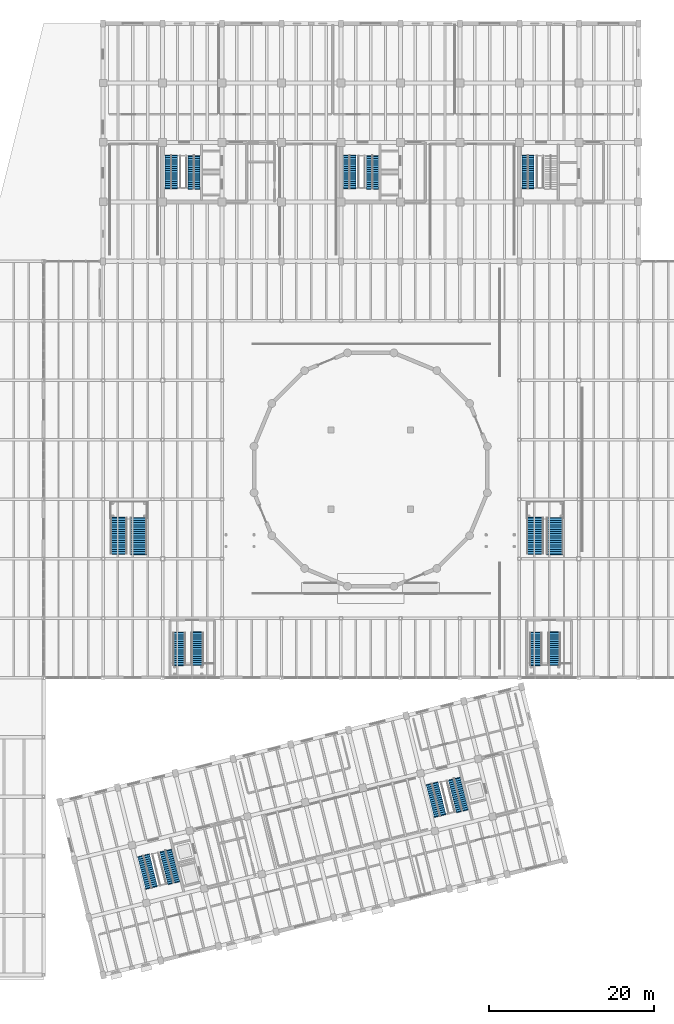
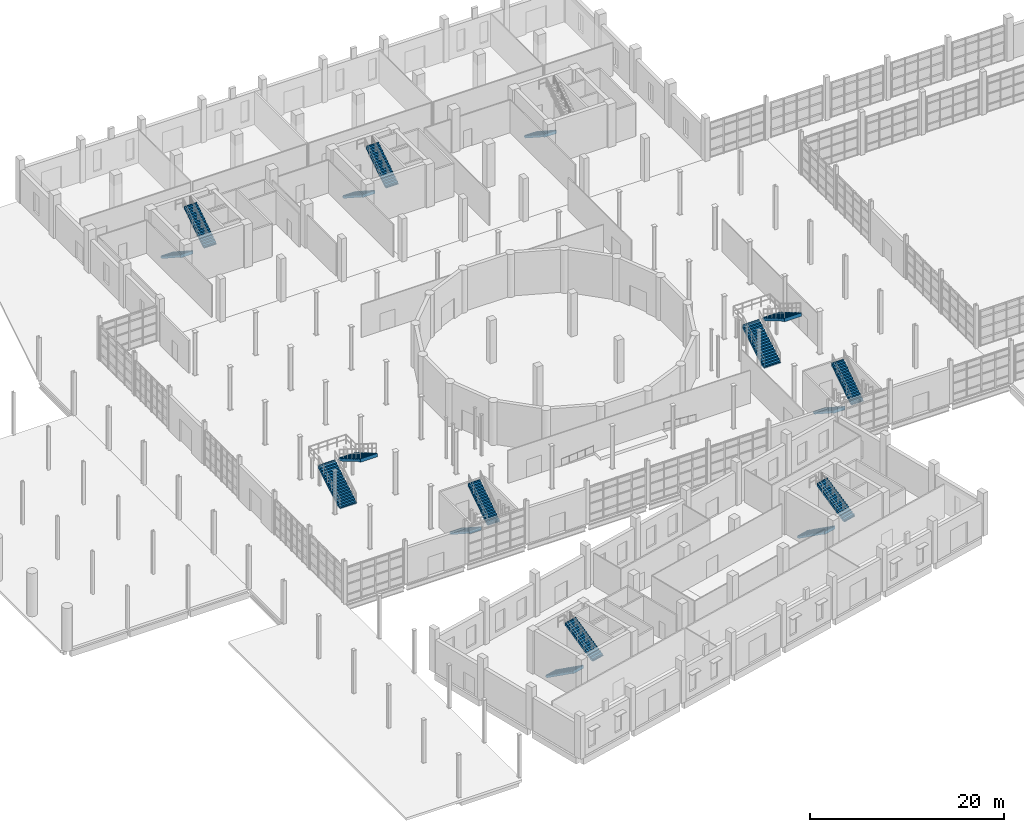
# One storey, part 73 of 79: 17 stair flights, 9 elements without a shape of their own.
"""IFC4 building model written with IfcOpenShell, lengths in metres."""

from ifc_helpers import new_model, si_unit, direction, frame, origin, place, context, subcontext, project, spatial, polyline, outline, extrude, material, type_object, element, aggregate, save


model = new_model("IFC4")

# Units and contexts
model_context = context("Model", 3, precision=1e-05, world=origin(), true_north=direction((0.0, 1.0)))
body_context = subcontext(model_context, "Body", "Model", "MODEL_VIEW")
ifc_project = project(units=[si_unit("LENGTHUNIT", "METRE"), si_unit("AREAUNIT", "SQUARE_METRE"), si_unit("VOLUMEUNIT", "CUBIC_METRE"), si_unit("PLANEANGLEUNIT", "RADIAN"), si_unit("MASSUNIT", "GRAM", prefix="KILO")], contexts=[model_context])

# Site, building, storey
site_placement = place(None, origin())
site = spatial("IfcSite", under=ifc_project, at=site_placement, CompositionType="ELEMENT")
building_placement = place(site_placement, origin())
building = spatial("IfcBuilding", under=site, at=building_placement, Name="Qiaolan Assembly House", CompositionType="ELEMENT")
storey_placement = place(building_placement, origin())
storey = spatial("IfcBuildingStorey", under=building, at=storey_placement, Name="L00", CompositionType="ELEMENT", Elevation=0.0)

# Stair, stair flights
ifc_material = material(Name="Concrete C40/50", Category="concrete")
stair_type_1 = type_object("IfcStairType", Name="STR-CEREMONIAL-540", PredefinedType="DOUBLE_RETURN_STAIR", material=ifc_material)
stair_1_placement = place(storey_placement, origin())
stair_1 = element("IfcStair", 1, at=stair_1_placement, inside=storey, type_object=stair_type_1, Name="ST-02 Grand Hall Ceremonial Stair ST-H1", PredefinedType="DOUBLE_RETURN_STAIR")
stair_flight_type_1 = type_object("IfcStairFlightType", Name="STR-CEREMONIAL-540-FLT", PredefinedType="STRAIGHT", material=ifc_material)
stair_flight_1_placement = place(storey_placement, frame((37.89990234375, 51.0, 0.0), z_axis=(0.0, 0.0, 1.0), x_axis=(0.0, 1.0, 0.0)))
stair_flight_1 = element("IfcStairFlight", 2, at=stair_flight_1_placement, type_object=stair_flight_type_1, Name="ST-02F stair flight FLT-ST-H1-1", NumberOfRisers=17, NumberOfTreads=16, PredefinedType="STRAIGHT", RiserHeight=0.158824, TreadLength=0.27, context=body_context, shape_type="SweptSolid", body=[
    extrude(outline(polyline([(-0.10009765625, -0.1201171875), (-0.10009765625, 0.0), (0.0, 0.0), (0.0, 0.158935546875), (0.27001953125, 0.158935546875), (0.27001953125, 0.317626953125), (0.5400390625, 0.317626953125), (0.5400390625, 0.4765625), (0.81005859375, 0.4765625), (0.81005859375, 0.63525390625), (1.080078125, 0.63525390625), (1.080078125, 0.794189453125), (1.35009765625, 0.794189453125), (1.35009765625, 0.952880859375), (1.6201171875, 0.952880859375), (1.6201171875, 1.11181640625), (1.889892578125, 1.11181640625), (1.889892578125, 1.2705078125), (2.159912109375, 1.2705078125), (2.159912109375, 1.429443359375), (2.429931640625, 1.429443359375), (2.429931640625, 1.588134765625), (2.699951171875, 1.588134765625), (2.699951171875, 1.7470703125), (2.969970703125, 1.7470703125), (2.969970703125, 1.906005859375), (3.239990234375, 1.906005859375), (3.239990234375, 2.064697265625), (3.510009765625, 2.064697265625), (3.510009765625, 2.2236328125), (3.780029296875, 2.2236328125), (3.780029296875, 2.38232421875), (4.050048828125, 2.38232421875), (4.050048828125, 2.541259765625), (4.320068359375, 2.541259765625), (4.320068359375, 2.699951171875), (4.440185546875, 2.699951171875), (4.440185546875, 2.2626953125), (4.320068359375, 2.2626953125), (0.26904296875, -0.1201171875), (-0.10009765625, -0.1201171875)])), frame((0.0, 1.0, 0.0), z_axis=(0.0, -1.0, 0.0), x_axis=(1.0, 0.0, 0.0)), (0.0, 0.0, 1.0), 2.0),
])
stair_flight_2_placement = place(storey_placement, frame((40.300048828125, 55.320068359375, 2.699951171875), z_axis=(0.0, 0.0, 1.0), x_axis=(0.0, -1.0, 0.0)))
stair_flight_2 = element("IfcStairFlight", 3, at=stair_flight_2_placement, type_object=stair_flight_type_1, Name="ST-02F stair flight FLT-ST-H1-2", NumberOfRisers=17, NumberOfTreads=16, PredefinedType="STRAIGHT", RiserHeight=0.158824, TreadLength=0.27, context=body_context, shape_type="SweptSolid", body=[
    extrude(outline(polyline([(-0.10009765625, -0.1201171875), (-0.10009765625, 0.0), (0.0, 0.0), (0.0, 0.158935546875), (0.27001953125, 0.158935546875), (0.27001953125, 0.317626953125), (0.5400390625, 0.317626953125), (0.5400390625, 0.4765625), (0.81005859375, 0.4765625), (0.81005859375, 0.63525390625), (1.080078125, 0.63525390625), (1.080078125, 0.794189453125), (1.35009765625, 0.794189453125), (1.35009765625, 0.952880859375), (1.6201171875, 0.952880859375), (1.6201171875, 1.11181640625), (1.889892578125, 1.11181640625), (1.889892578125, 1.2705078125), (2.159912109375, 1.2705078125), (2.159912109375, 1.429443359375), (2.429931640625, 1.429443359375), (2.429931640625, 1.588134765625), (2.699951171875, 1.588134765625), (2.699951171875, 1.7470703125), (2.969970703125, 1.7470703125), (2.969970703125, 1.906005859375), (3.239990234375, 1.906005859375), (3.239990234375, 2.064697265625), (3.510009765625, 2.064697265625), (3.510009765625, 2.2236328125), (3.780029296875, 2.2236328125), (3.780029296875, 2.38232421875), (4.050048828125, 2.38232421875), (4.050048828125, 2.541259765625), (4.320068359375, 2.541259765625), (4.320068359375, 2.699951171875), (4.440185546875, 2.699951171875), (4.440185546875, 2.2626953125), (4.320068359375, 2.2626953125), (0.26904296875, -0.1201171875), (-0.10009765625, -0.1201171875)])), frame((0.0, 1.0, 0.0), z_axis=(0.0, -1.0, 0.0), x_axis=(1.0, 0.0, 0.0)), (0.0, 0.0, 1.0), 2.0),
])
aggregate(stair_1, [stair_flight_1, stair_flight_2])

stair_2_placement = place(storey_placement, origin())
stair_2 = element("IfcStair", 4, at=stair_2_placement, inside=storey, type_object=stair_type_1, Name="ST-02 Grand Hall Ceremonial Stair ST-H2", PredefinedType="DOUBLE_RETURN_STAIR")
stair_flight_3_placement = place(storey_placement, frame((88.300048828125, 51.0, 0.0), z_axis=(0.0, 0.0, 1.0), x_axis=(0.0, 1.0, 0.0)))
stair_flight_3 = element("IfcStairFlight", 5, at=stair_flight_3_placement, type_object=stair_flight_type_1, Name="ST-02F stair flight FLT-ST-H2-1", NumberOfRisers=17, NumberOfTreads=16, PredefinedType="STRAIGHT", RiserHeight=0.158824, TreadLength=0.27, context=body_context, shape_type="SweptSolid", body=[
    extrude(outline(polyline([(-0.10009765625, -0.1201171875), (-0.10009765625, 0.0), (0.0, 0.0), (0.0, 0.158935546875), (0.27001953125, 0.158935546875), (0.27001953125, 0.317626953125), (0.5400390625, 0.317626953125), (0.5400390625, 0.4765625), (0.81005859375, 0.4765625), (0.81005859375, 0.63525390625), (1.080078125, 0.63525390625), (1.080078125, 0.794189453125), (1.35009765625, 0.794189453125), (1.35009765625, 0.952880859375), (1.6201171875, 0.952880859375), (1.6201171875, 1.11181640625), (1.889892578125, 1.11181640625), (1.889892578125, 1.2705078125), (2.159912109375, 1.2705078125), (2.159912109375, 1.429443359375), (2.429931640625, 1.429443359375), (2.429931640625, 1.588134765625), (2.699951171875, 1.588134765625), (2.699951171875, 1.7470703125), (2.969970703125, 1.7470703125), (2.969970703125, 1.906005859375), (3.239990234375, 1.906005859375), (3.239990234375, 2.064697265625), (3.510009765625, 2.064697265625), (3.510009765625, 2.2236328125), (3.780029296875, 2.2236328125), (3.780029296875, 2.38232421875), (4.050048828125, 2.38232421875), (4.050048828125, 2.541259765625), (4.320068359375, 2.541259765625), (4.320068359375, 2.699951171875), (4.440185546875, 2.699951171875), (4.440185546875, 2.2626953125), (4.320068359375, 2.2626953125), (0.26904296875, -0.1201171875), (-0.10009765625, -0.1201171875)])), frame((0.0, 1.0, 0.0), z_axis=(0.0, -1.0, 0.0), x_axis=(1.0, 0.0, 0.0)), (0.0, 0.0, 1.0), 2.0),
])
stair_flight_4_placement = place(storey_placement, frame((90.699951171875, 55.320068359375, 2.699951171875), z_axis=(0.0, 0.0, 1.0), x_axis=(0.0, -1.0, 0.0)))
stair_flight_4 = element("IfcStairFlight", 6, at=stair_flight_4_placement, type_object=stair_flight_type_1, Name="ST-02F stair flight FLT-ST-H2-2", NumberOfRisers=17, NumberOfTreads=16, PredefinedType="STRAIGHT", RiserHeight=0.158824, TreadLength=0.27, context=body_context, shape_type="SweptSolid", body=[
    extrude(outline(polyline([(-0.10009765625, -0.1201171875), (-0.10009765625, 0.0), (0.0, 0.0), (0.0, 0.158935546875), (0.27001953125, 0.158935546875), (0.27001953125, 0.317626953125), (0.5400390625, 0.317626953125), (0.5400390625, 0.4765625), (0.81005859375, 0.4765625), (0.81005859375, 0.63525390625), (1.080078125, 0.63525390625), (1.080078125, 0.794189453125), (1.35009765625, 0.794189453125), (1.35009765625, 0.952880859375), (1.6201171875, 0.952880859375), (1.6201171875, 1.11181640625), (1.889892578125, 1.11181640625), (1.889892578125, 1.2705078125), (2.159912109375, 1.2705078125), (2.159912109375, 1.429443359375), (2.429931640625, 1.429443359375), (2.429931640625, 1.588134765625), (2.699951171875, 1.588134765625), (2.699951171875, 1.7470703125), (2.969970703125, 1.7470703125), (2.969970703125, 1.906005859375), (3.239990234375, 1.906005859375), (3.239990234375, 2.064697265625), (3.510009765625, 2.064697265625), (3.510009765625, 2.2236328125), (3.780029296875, 2.2236328125), (3.780029296875, 2.38232421875), (4.050048828125, 2.38232421875), (4.050048828125, 2.541259765625), (4.320068359375, 2.541259765625), (4.320068359375, 2.699951171875), (4.440185546875, 2.699951171875), (4.440185546875, 2.2626953125), (4.320068359375, 2.2626953125), (0.26904296875, -0.1201171875), (-0.10009765625, -0.1201171875)])), frame((0.0, 1.0, 0.0), z_axis=(0.0, -1.0, 0.0), x_axis=(1.0, 0.0, 0.0)), (0.0, 0.0, 1.0), 2.0),
])
aggregate(stair_2, [stair_flight_3, stair_flight_4])

stair_type_2 = type_object("IfcStairType", Name="STR-FOYER-540", PredefinedType="HALF_TURN_STAIR", material=ifc_material)
stair_3_placement = place(storey_placement, origin())
stair_3 = element("IfcStair", 7, at=stair_3_placement, inside=storey, type_object=stair_type_2, Name="ST-09 Chamber South Foyer Stair ST-F01", PredefinedType="HALF_TURN_STAIR")
stair_flight_type_2 = type_object("IfcStairFlightType", Name="STR-FOYER-540-FLT", PredefinedType="STRAIGHT", material=ifc_material)
stair_flight_5_placement = place(storey_placement, frame((45.199951171875, 41.449951171875, 0.0), z_axis=(0.0, 0.0, 1.0), x_axis=(0.0, -1.0, 0.0)))
stair_flight_5 = element("IfcStairFlight", 8, at=stair_flight_5_placement, type_object=stair_flight_type_2, Name="ST-09F stair flight FLT-ST-F01-1", NumberOfRisers=16, NumberOfTreads=15, PredefinedType="STRAIGHT", RiserHeight=0.16875, TreadLength=0.26, context=body_context, shape_type="SweptSolid", body=[
    extrude(outline(polyline([(-0.10009765625, -0.1201171875), (-0.10009765625, 0.0), (0.0, 0.0), (0.0, 0.168701171875), (0.260009765625, 0.168701171875), (0.260009765625, 0.33740234375), (0.52001953125, 0.33740234375), (0.52001953125, 0.50634765625), (0.780029296875, 0.50634765625), (0.780029296875, 0.675048828125), (1.0400390625, 0.675048828125), (1.0400390625, 0.84375), (1.300048828125, 0.84375), (1.300048828125, 1.012451171875), (1.56005859375, 1.012451171875), (1.56005859375, 1.18115234375), (1.820068359375, 1.18115234375), (1.820068359375, 1.35009765625), (2.080078125, 1.35009765625), (2.080078125, 1.518798828125), (2.340087890625, 1.518798828125), (2.340087890625, 1.6875), (2.60009765625, 1.6875), (2.60009765625, 1.856201171875), (2.860107421875, 1.856201171875), (2.860107421875, 2.02490234375), (3.1201171875, 2.02490234375), (3.1201171875, 2.19384765625), (3.3798828125, 2.19384765625), (3.3798828125, 2.362548828125), (3.639892578125, 2.362548828125), (3.639892578125, 2.53125), (3.89990234375, 2.53125), (3.89990234375, 2.699951171875), (4.02001953125, 2.699951171875), (4.02001953125, 2.29296875), (3.89990234375, 2.29296875), (0.18212890625, -0.1201171875), (-0.10009765625, -0.1201171875)])), frame((0.0, 0.7099609375, 0.0), z_axis=(0.0, -1.0, 0.0), x_axis=(1.0, 0.0, 0.0)), (0.0, 0.0, 1.0), 1.419921875),
])
stair_flight_6_placement = place(storey_placement, frame((47.39990234375, 37.550048828125, 2.699951171875), z_axis=(0.0, 0.0, 1.0), x_axis=(0.0, 1.0, 0.0)))
stair_flight_6 = element("IfcStairFlight", 9, at=stair_flight_6_placement, type_object=stair_flight_type_2, Name="ST-09F stair flight FLT-ST-F01-2", NumberOfRisers=16, NumberOfTreads=15, PredefinedType="STRAIGHT", RiserHeight=0.16875, TreadLength=0.26, context=body_context, shape_type="SweptSolid", body=[
    extrude(outline(polyline([(-0.10009765625, -0.1201171875), (-0.10009765625, 0.0), (0.0, 0.0), (0.0, 0.168701171875), (0.260009765625, 0.168701171875), (0.260009765625, 0.33740234375), (0.52001953125, 0.33740234375), (0.52001953125, 0.50634765625), (0.780029296875, 0.50634765625), (0.780029296875, 0.675048828125), (1.0400390625, 0.675048828125), (1.0400390625, 0.84375), (1.300048828125, 0.84375), (1.300048828125, 1.012451171875), (1.56005859375, 1.012451171875), (1.56005859375, 1.18115234375), (1.820068359375, 1.18115234375), (1.820068359375, 1.35009765625), (2.080078125, 1.35009765625), (2.080078125, 1.518798828125), (2.340087890625, 1.518798828125), (2.340087890625, 1.6875), (2.60009765625, 1.6875), (2.60009765625, 1.856201171875), (2.860107421875, 1.856201171875), (2.860107421875, 2.02490234375), (3.1201171875, 2.02490234375), (3.1201171875, 2.19384765625), (3.3798828125, 2.19384765625), (3.3798828125, 2.362548828125), (3.639892578125, 2.362548828125), (3.639892578125, 2.53125), (3.89990234375, 2.53125), (3.89990234375, 2.699951171875), (4.02001953125, 2.699951171875), (4.02001953125, 2.29296875), (3.89990234375, 2.29296875), (0.18212890625, -0.1201171875), (-0.10009765625, -0.1201171875)])), frame((0.0, 0.7099609375, 0.0), z_axis=(0.0, -1.0, 0.0), x_axis=(1.0, 0.0, 0.0)), (0.0, 0.0, 1.0), 1.419921875),
])
aggregate(stair_3, [stair_flight_5, stair_flight_6])

stair_4_placement = place(storey_placement, origin())
stair_4 = element("IfcStair", 10, at=stair_4_placement, inside=storey, type_object=stair_type_2, Name="ST-09 Chamber South Foyer Stair ST-F02", PredefinedType="HALF_TURN_STAIR")
stair_flight_7_placement = place(storey_placement, frame((88.39990234375, 41.449951171875, 0.0), z_axis=(0.0, 0.0, 1.0), x_axis=(0.0, -1.0, 0.0)))
stair_flight_7 = element("IfcStairFlight", 11, at=stair_flight_7_placement, type_object=stair_flight_type_2, Name="ST-09F stair flight FLT-ST-F02-1", NumberOfRisers=16, NumberOfTreads=15, PredefinedType="STRAIGHT", RiserHeight=0.16875, TreadLength=0.26, context=body_context, shape_type="SweptSolid", body=[
    extrude(outline(polyline([(-0.10009765625, -0.1201171875), (-0.10009765625, 0.0), (0.0, 0.0), (0.0, 0.168701171875), (0.260009765625, 0.168701171875), (0.260009765625, 0.33740234375), (0.52001953125, 0.33740234375), (0.52001953125, 0.50634765625), (0.780029296875, 0.50634765625), (0.780029296875, 0.675048828125), (1.0400390625, 0.675048828125), (1.0400390625, 0.84375), (1.300048828125, 0.84375), (1.300048828125, 1.012451171875), (1.56005859375, 1.012451171875), (1.56005859375, 1.18115234375), (1.820068359375, 1.18115234375), (1.820068359375, 1.35009765625), (2.080078125, 1.35009765625), (2.080078125, 1.518798828125), (2.340087890625, 1.518798828125), (2.340087890625, 1.6875), (2.60009765625, 1.6875), (2.60009765625, 1.856201171875), (2.860107421875, 1.856201171875), (2.860107421875, 2.02490234375), (3.1201171875, 2.02490234375), (3.1201171875, 2.19384765625), (3.3798828125, 2.19384765625), (3.3798828125, 2.362548828125), (3.639892578125, 2.362548828125), (3.639892578125, 2.53125), (3.89990234375, 2.53125), (3.89990234375, 2.699951171875), (4.02001953125, 2.699951171875), (4.02001953125, 2.29296875), (3.89990234375, 2.29296875), (0.18212890625, -0.1201171875), (-0.10009765625, -0.1201171875)])), frame((0.0, 0.7099609375, 0.0), z_axis=(0.0, -1.0, 0.0), x_axis=(1.0, 0.0, 0.0)), (0.0, 0.0, 1.0), 1.419921875),
])
stair_flight_8_placement = place(storey_placement, frame((90.60009765625, 37.550048828125, 2.699951171875), z_axis=(0.0, 0.0, 1.0), x_axis=(0.0, 1.0, 0.0)))
stair_flight_8 = element("IfcStairFlight", 12, at=stair_flight_8_placement, type_object=stair_flight_type_2, Name="ST-09F stair flight FLT-ST-F02-2", NumberOfRisers=16, NumberOfTreads=15, PredefinedType="STRAIGHT", RiserHeight=0.16875, TreadLength=0.26, context=body_context, shape_type="SweptSolid", body=[
    extrude(outline(polyline([(-0.10009765625, -0.1201171875), (-0.10009765625, 0.0), (0.0, 0.0), (0.0, 0.168701171875), (0.260009765625, 0.168701171875), (0.260009765625, 0.33740234375), (0.52001953125, 0.33740234375), (0.52001953125, 0.50634765625), (0.780029296875, 0.50634765625), (0.780029296875, 0.675048828125), (1.0400390625, 0.675048828125), (1.0400390625, 0.84375), (1.300048828125, 0.84375), (1.300048828125, 1.012451171875), (1.56005859375, 1.012451171875), (1.56005859375, 1.18115234375), (1.820068359375, 1.18115234375), (1.820068359375, 1.35009765625), (2.080078125, 1.35009765625), (2.080078125, 1.518798828125), (2.340087890625, 1.518798828125), (2.340087890625, 1.6875), (2.60009765625, 1.6875), (2.60009765625, 1.856201171875), (2.860107421875, 1.856201171875), (2.860107421875, 2.02490234375), (3.1201171875, 2.02490234375), (3.1201171875, 2.19384765625), (3.3798828125, 2.19384765625), (3.3798828125, 2.362548828125), (3.639892578125, 2.362548828125), (3.639892578125, 2.53125), (3.89990234375, 2.53125), (3.89990234375, 2.699951171875), (4.02001953125, 2.699951171875), (4.02001953125, 2.29296875), (3.89990234375, 2.29296875), (0.18212890625, -0.1201171875), (-0.10009765625, -0.1201171875)])), frame((0.0, 0.7099609375, 0.0), z_axis=(0.0, -1.0, 0.0), x_axis=(1.0, 0.0, 0.0)), (0.0, 0.0, 1.0), 1.419921875),
])
aggregate(stair_4, [stair_flight_7, stair_flight_8])

stair_type_3 = type_object("IfcStairType", Name="STR-PODIUM-540", PredefinedType="THREE_QUARTER_TURN_STAIR", material=ifc_material)
stair_5_placement = place(storey_placement, origin())
stair_5 = element("IfcStair", 13, at=stair_5_placement, inside=storey, type_object=stair_type_3, Name="ST-01 enclosed egress stair CORE-A L00", PredefinedType="THREE_QUARTER_TURN_STAIR")
stair_flight_type_3 = type_object("IfcStairFlightType", Name="STR-PODIUM-540-FLT", PredefinedType="STRAIGHT", material=ifc_material)
stair_flight_9_placement = place(storey_placement, frame((44.25, 99.2099609375, 0.0), z_axis=(0.0, 0.0, 1.0), x_axis=(0.0, -1.0, 0.0)))
stair_flight_9 = element("IfcStairFlight", 14, at=stair_flight_9_placement, type_object=stair_flight_type_3, Name="ST-01F stair flight FLT-CORE-A-L00-1", NumberOfRisers=16, NumberOfTreads=15, PredefinedType="STRAIGHT", RiserHeight=0.16875, TreadLength=0.26, context=body_context, shape_type="SweptSolid", body=[
    extrude(outline(polyline([(-0.10009765625, -0.1201171875), (-0.10009765625, 0.0), (0.0, 0.0), (0.0, 0.168701171875), (0.260009765625, 0.168701171875), (0.260009765625, 0.33740234375), (0.52001953125, 0.33740234375), (0.52001953125, 0.50634765625), (0.780029296875, 0.50634765625), (0.780029296875, 0.675048828125), (1.0400390625, 0.675048828125), (1.0400390625, 0.84375), (1.300048828125, 0.84375), (1.300048828125, 1.012451171875), (1.56005859375, 1.012451171875), (1.56005859375, 1.18115234375), (1.820068359375, 1.18115234375), (1.820068359375, 1.35009765625), (2.080078125, 1.35009765625), (2.080078125, 1.518798828125), (2.340087890625, 1.518798828125), (2.340087890625, 1.6875), (2.60009765625, 1.6875), (2.60009765625, 1.856201171875), (2.860107421875, 1.856201171875), (2.860107421875, 2.02490234375), (3.1201171875, 2.02490234375), (3.1201171875, 2.19384765625), (3.3798828125, 2.19384765625), (3.3798828125, 2.362548828125), (3.639892578125, 2.362548828125), (3.639892578125, 2.53125), (3.89990234375, 2.53125), (3.89990234375, 2.699951171875), (4.02001953125, 2.699951171875), (4.02001953125, 2.29296875), (3.89990234375, 2.29296875), (0.18212890625, -0.1201171875), (-0.10009765625, -0.1201171875)])), frame((0.0, 0.739990234375, 0.0), z_axis=(0.0, -1.0, 0.0), x_axis=(1.0, 0.0, 0.0)), (0.0, 0.0, 1.0), 1.47998046875),
])
stair_flight_10_placement = place(storey_placement, frame((47.0, 95.18994140625, 2.699951171875), z_axis=(0.0, 0.0, 1.0), x_axis=(0.0, 1.0, 0.0)))
stair_flight_10 = element("IfcStairFlight", 15, at=stair_flight_10_placement, type_object=stair_flight_type_3, Name="ST-01F stair flight FLT-CORE-A-L00-2", NumberOfRisers=16, NumberOfTreads=15, PredefinedType="STRAIGHT", RiserHeight=0.16875, TreadLength=0.26, context=body_context, shape_type="SweptSolid", body=[
    extrude(outline(polyline([(-0.10009765625, -0.1201171875), (-0.10009765625, 0.0), (0.0, 0.0), (0.0, 0.168701171875), (0.260009765625, 0.168701171875), (0.260009765625, 0.33740234375), (0.52001953125, 0.33740234375), (0.52001953125, 0.50634765625), (0.780029296875, 0.50634765625), (0.780029296875, 0.675048828125), (1.0400390625, 0.675048828125), (1.0400390625, 0.84375), (1.300048828125, 0.84375), (1.300048828125, 1.012451171875), (1.56005859375, 1.012451171875), (1.56005859375, 1.18115234375), (1.820068359375, 1.18115234375), (1.820068359375, 1.35009765625), (2.080078125, 1.35009765625), (2.080078125, 1.518798828125), (2.340087890625, 1.518798828125), (2.340087890625, 1.6875), (2.60009765625, 1.6875), (2.60009765625, 1.856201171875), (2.860107421875, 1.856201171875), (2.860107421875, 2.02490234375), (3.1201171875, 2.02490234375), (3.1201171875, 2.19384765625), (3.3798828125, 2.19384765625), (3.3798828125, 2.362548828125), (3.639892578125, 2.362548828125), (3.639892578125, 2.53125), (3.89990234375, 2.53125), (3.89990234375, 2.699951171875), (4.02001953125, 2.699951171875), (4.02001953125, 2.29296875), (3.89990234375, 2.29296875), (0.18212890625, -0.1201171875), (-0.10009765625, -0.1201171875)])), frame((0.0, 0.739990234375, 0.0), z_axis=(0.0, -1.0, 0.0), x_axis=(1.0, 0.0, 0.0)), (0.0, 0.0, 1.0), 1.47998046875),
])
aggregate(stair_5, [stair_flight_9, stair_flight_10])

stair_6_placement = place(storey_placement, origin())
stair_6 = element("IfcStair", 16, at=stair_6_placement, inside=storey, type_object=stair_type_3, Name="ST-01 enclosed egress stair CORE-B L00", PredefinedType="THREE_QUARTER_TURN_STAIR")
stair_flight_11_placement = place(storey_placement, frame((65.85009765625, 99.2099609375, 0.0), z_axis=(0.0, 0.0, 1.0), x_axis=(0.0, -1.0, 0.0)))
stair_flight_11 = element("IfcStairFlight", 17, at=stair_flight_11_placement, type_object=stair_flight_type_3, Name="ST-01F stair flight FLT-CORE-B-L00-1", NumberOfRisers=16, NumberOfTreads=15, PredefinedType="STRAIGHT", RiserHeight=0.16875, TreadLength=0.26, context=body_context, shape_type="SweptSolid", body=[
    extrude(outline(polyline([(-0.10009765625, -0.1201171875), (-0.10009765625, 0.0), (0.0, 0.0), (0.0, 0.168701171875), (0.260009765625, 0.168701171875), (0.260009765625, 0.33740234375), (0.52001953125, 0.33740234375), (0.52001953125, 0.50634765625), (0.780029296875, 0.50634765625), (0.780029296875, 0.675048828125), (1.0400390625, 0.675048828125), (1.0400390625, 0.84375), (1.300048828125, 0.84375), (1.300048828125, 1.012451171875), (1.56005859375, 1.012451171875), (1.56005859375, 1.18115234375), (1.820068359375, 1.18115234375), (1.820068359375, 1.35009765625), (2.080078125, 1.35009765625), (2.080078125, 1.518798828125), (2.340087890625, 1.518798828125), (2.340087890625, 1.6875), (2.60009765625, 1.6875), (2.60009765625, 1.856201171875), (2.860107421875, 1.856201171875), (2.860107421875, 2.02490234375), (3.1201171875, 2.02490234375), (3.1201171875, 2.19384765625), (3.3798828125, 2.19384765625), (3.3798828125, 2.362548828125), (3.639892578125, 2.362548828125), (3.639892578125, 2.53125), (3.89990234375, 2.53125), (3.89990234375, 2.699951171875), (4.02001953125, 2.699951171875), (4.02001953125, 2.29296875), (3.89990234375, 2.29296875), (0.18212890625, -0.1201171875), (-0.10009765625, -0.1201171875)])), frame((0.0, 0.739990234375, 0.0), z_axis=(0.0, -1.0, 0.0), x_axis=(1.0, 0.0, 0.0)), (0.0, 0.0, 1.0), 1.47998046875),
])
stair_flight_12_placement = place(storey_placement, frame((68.60009765625, 95.18994140625, 2.699951171875), z_axis=(0.0, 0.0, 1.0), x_axis=(0.0, 1.0, 0.0)))
stair_flight_12 = element("IfcStairFlight", 18, at=stair_flight_12_placement, type_object=stair_flight_type_3, Name="ST-01F stair flight FLT-CORE-B-L00-2", NumberOfRisers=16, NumberOfTreads=15, PredefinedType="STRAIGHT", RiserHeight=0.16875, TreadLength=0.26, context=body_context, shape_type="SweptSolid", body=[
    extrude(outline(polyline([(-0.10009765625, -0.1201171875), (-0.10009765625, 0.0), (0.0, 0.0), (0.0, 0.168701171875), (0.260009765625, 0.168701171875), (0.260009765625, 0.33740234375), (0.52001953125, 0.33740234375), (0.52001953125, 0.50634765625), (0.780029296875, 0.50634765625), (0.780029296875, 0.675048828125), (1.0400390625, 0.675048828125), (1.0400390625, 0.84375), (1.300048828125, 0.84375), (1.300048828125, 1.012451171875), (1.56005859375, 1.012451171875), (1.56005859375, 1.18115234375), (1.820068359375, 1.18115234375), (1.820068359375, 1.35009765625), (2.080078125, 1.35009765625), (2.080078125, 1.518798828125), (2.340087890625, 1.518798828125), (2.340087890625, 1.6875), (2.60009765625, 1.6875), (2.60009765625, 1.856201171875), (2.860107421875, 1.856201171875), (2.860107421875, 2.02490234375), (3.1201171875, 2.02490234375), (3.1201171875, 2.19384765625), (3.3798828125, 2.19384765625), (3.3798828125, 2.362548828125), (3.639892578125, 2.362548828125), (3.639892578125, 2.53125), (3.89990234375, 2.53125), (3.89990234375, 2.699951171875), (4.02001953125, 2.699951171875), (4.02001953125, 2.29296875), (3.89990234375, 2.29296875), (0.18212890625, -0.1201171875), (-0.10009765625, -0.1201171875)])), frame((0.0, 0.739990234375, 0.0), z_axis=(0.0, -1.0, 0.0), x_axis=(1.0, 0.0, 0.0)), (0.0, 0.0, 1.0), 1.47998046875),
])
aggregate(stair_6, [stair_flight_11, stair_flight_12])

# Stair, stair flight
stair_7_placement = place(storey_placement, origin())
stair_7 = element("IfcStair", 19, at=stair_7_placement, inside=storey, type_object=stair_type_3, Name="ST-01 enclosed egress stair CORE-G L00", PredefinedType="THREE_QUARTER_TURN_STAIR")
stair_flight_13_placement = place(storey_placement, frame((87.449951171875, 99.2099609375, 0.0), z_axis=(0.0, 0.0, 1.0), x_axis=(0.0, -1.0, 0.0)))
stair_flight_13 = element("IfcStairFlight", 20, at=stair_flight_13_placement, type_object=stair_flight_type_3, Name="ST-01F stair flight FLT-CORE-G-L00-1", NumberOfRisers=16, NumberOfTreads=15, PredefinedType="STRAIGHT", RiserHeight=0.16875, TreadLength=0.26, context=body_context, shape_type="SweptSolid", body=[
    extrude(outline(polyline([(-0.10009765625, -0.1201171875), (-0.10009765625, 0.0), (0.0, 0.0), (0.0, 0.168701171875), (0.260009765625, 0.168701171875), (0.260009765625, 0.33740234375), (0.52001953125, 0.33740234375), (0.52001953125, 0.50634765625), (0.780029296875, 0.50634765625), (0.780029296875, 0.675048828125), (1.0400390625, 0.675048828125), (1.0400390625, 0.84375), (1.300048828125, 0.84375), (1.300048828125, 1.012451171875), (1.56005859375, 1.012451171875), (1.56005859375, 1.18115234375), (1.820068359375, 1.18115234375), (1.820068359375, 1.35009765625), (2.080078125, 1.35009765625), (2.080078125, 1.518798828125), (2.340087890625, 1.518798828125), (2.340087890625, 1.6875), (2.60009765625, 1.6875), (2.60009765625, 1.856201171875), (2.860107421875, 1.856201171875), (2.860107421875, 2.02490234375), (3.1201171875, 2.02490234375), (3.1201171875, 2.19384765625), (3.3798828125, 2.19384765625), (3.3798828125, 2.362548828125), (3.639892578125, 2.362548828125), (3.639892578125, 2.53125), (3.89990234375, 2.53125), (3.89990234375, 2.699951171875), (4.02001953125, 2.699951171875), (4.02001953125, 2.29296875), (3.89990234375, 2.29296875), (0.18212890625, -0.1201171875), (-0.10009765625, -0.1201171875)])), frame((0.0, 0.739990234375, 0.0), z_axis=(0.0, -1.0, 0.0), x_axis=(1.0, 0.0, 0.0)), (0.0, 0.0, 1.0), 1.47998046875),
])
aggregate(stair_7, [stair_flight_13])

# Stair, stair flights
stair_8_placement = place(storey_placement, origin())
stair_8 = element("IfcStair", 21, at=stair_8_placement, inside=storey, type_object=stair_type_3, Name="ST-01 enclosed egress stair CORE-C L00", PredefinedType="THREE_QUARTER_TURN_STAIR")
stair_flight_14_placement = place(storey_placement, frame((40.906005859375, 14.42529296875, 0.0), z_axis=(0.0, 0.0, 1.0), x_axis=(0.241921878665, -0.970295730498, 0.0)))
stair_flight_14 = element("IfcStairFlight", 22, at=stair_flight_14_placement, type_object=stair_flight_type_3, Name="ST-01F stair flight FLT-CORE-C-L00-1", NumberOfRisers=16, NumberOfTreads=15, PredefinedType="STRAIGHT", RiserHeight=0.16875, TreadLength=0.26, context=body_context, shape_type="SweptSolid", body=[
    extrude(outline(polyline([(-0.10009765625, -0.1201171875), (-0.10009765625, 0.0), (0.0, 0.0), (0.0, 0.168701171875), (0.260009765625, 0.168701171875), (0.260009765625, 0.33740234375), (0.52001953125, 0.33740234375), (0.52001953125, 0.50634765625), (0.780029296875, 0.50634765625), (0.780029296875, 0.675048828125), (1.0400390625, 0.675048828125), (1.0400390625, 0.84375), (1.300048828125, 0.84375), (1.300048828125, 1.012451171875), (1.56005859375, 1.012451171875), (1.56005859375, 1.18115234375), (1.820068359375, 1.18115234375), (1.820068359375, 1.35009765625), (2.080078125, 1.35009765625), (2.080078125, 1.518798828125), (2.340087890625, 1.518798828125), (2.340087890625, 1.6875), (2.60009765625, 1.6875), (2.60009765625, 1.856201171875), (2.860107421875, 1.856201171875), (2.860107421875, 2.02490234375), (3.1201171875, 2.02490234375), (3.1201171875, 2.19384765625), (3.3798828125, 2.19384765625), (3.3798828125, 2.362548828125), (3.639892578125, 2.362548828125), (3.639892578125, 2.53125), (3.89990234375, 2.53125), (3.89990234375, 2.699951171875), (4.02001953125, 2.699951171875), (4.02001953125, 2.29296875), (3.89990234375, 2.29296875), (0.18212890625, -0.1201171875), (-0.10009765625, -0.1201171875)])), frame((0.0, 0.739990234375, 0.0), z_axis=(0.0, -1.0, 0.0), x_axis=(1.0, 0.0, 0.0)), (0.0, 0.0, 1.0), 1.47998046875),
])
stair_flight_15_placement = place(storey_placement, frame((44.546875, 11.18994140625, 2.699951171875), z_axis=(0.0, 0.0, 1.0), x_axis=(-0.241921878665, 0.970295730498, 0.0)))
stair_flight_15 = element("IfcStairFlight", 23, at=stair_flight_15_placement, type_object=stair_flight_type_3, Name="ST-01F stair flight FLT-CORE-C-L00-2", NumberOfRisers=16, NumberOfTreads=15, PredefinedType="STRAIGHT", RiserHeight=0.16875, TreadLength=0.26, context=body_context, shape_type="SweptSolid", body=[
    extrude(outline(polyline([(-0.10009765625, -0.1201171875), (-0.10009765625, 0.0), (0.0, 0.0), (0.0, 0.168701171875), (0.260009765625, 0.168701171875), (0.260009765625, 0.33740234375), (0.52001953125, 0.33740234375), (0.52001953125, 0.50634765625), (0.780029296875, 0.50634765625), (0.780029296875, 0.675048828125), (1.0400390625, 0.675048828125), (1.0400390625, 0.84375), (1.300048828125, 0.84375), (1.300048828125, 1.012451171875), (1.56005859375, 1.012451171875), (1.56005859375, 1.18115234375), (1.820068359375, 1.18115234375), (1.820068359375, 1.35009765625), (2.080078125, 1.35009765625), (2.080078125, 1.518798828125), (2.340087890625, 1.518798828125), (2.340087890625, 1.6875), (2.60009765625, 1.6875), (2.60009765625, 1.856201171875), (2.860107421875, 1.856201171875), (2.860107421875, 2.02490234375), (3.1201171875, 2.02490234375), (3.1201171875, 2.19384765625), (3.3798828125, 2.19384765625), (3.3798828125, 2.362548828125), (3.639892578125, 2.362548828125), (3.639892578125, 2.53125), (3.89990234375, 2.53125), (3.89990234375, 2.699951171875), (4.02001953125, 2.699951171875), (4.02001953125, 2.29296875), (3.89990234375, 2.29296875), (0.18212890625, -0.1201171875), (-0.10009765625, -0.1201171875)])), frame((0.0, 0.739990234375, 0.0), z_axis=(0.0, -1.0, 0.0), x_axis=(1.0, 0.0, 0.0)), (0.0, 0.0, 1.0), 1.47998046875),
])
aggregate(stair_8, [stair_flight_14, stair_flight_15])

stair_9_placement = place(storey_placement, origin())
stair_9 = element("IfcStair", 24, at=stair_9_placement, inside=storey, type_object=stair_type_3, Name="ST-01 enclosed egress stair CORE-D L00", PredefinedType="THREE_QUARTER_TURN_STAIR")
stair_flight_16_placement = place(storey_placement, frame((75.836669921875, 23.134521484375, 0.0), z_axis=(0.0, 0.0, 1.0), x_axis=(0.241921878665, -0.970295730498, 0.0)))
stair_flight_16 = element("IfcStairFlight", 25, at=stair_flight_16_placement, type_object=stair_flight_type_3, Name="ST-01F stair flight FLT-CORE-D-L00-1", NumberOfRisers=16, NumberOfTreads=15, PredefinedType="STRAIGHT", RiserHeight=0.16875, TreadLength=0.26, context=body_context, shape_type="SweptSolid", body=[
    extrude(outline(polyline([(-0.10009765625, -0.1201171875), (-0.10009765625, 0.0), (0.0, 0.0), (0.0, 0.168701171875), (0.260009765625, 0.168701171875), (0.260009765625, 0.33740234375), (0.52001953125, 0.33740234375), (0.52001953125, 0.50634765625), (0.780029296875, 0.50634765625), (0.780029296875, 0.675048828125), (1.0400390625, 0.675048828125), (1.0400390625, 0.84375), (1.300048828125, 0.84375), (1.300048828125, 1.012451171875), (1.56005859375, 1.012451171875), (1.56005859375, 1.18115234375), (1.820068359375, 1.18115234375), (1.820068359375, 1.35009765625), (2.080078125, 1.35009765625), (2.080078125, 1.518798828125), (2.340087890625, 1.518798828125), (2.340087890625, 1.6875), (2.60009765625, 1.6875), (2.60009765625, 1.856201171875), (2.860107421875, 1.856201171875), (2.860107421875, 2.02490234375), (3.1201171875, 2.02490234375), (3.1201171875, 2.19384765625), (3.3798828125, 2.19384765625), (3.3798828125, 2.362548828125), (3.639892578125, 2.362548828125), (3.639892578125, 2.53125), (3.89990234375, 2.53125), (3.89990234375, 2.699951171875), (4.02001953125, 2.699951171875), (4.02001953125, 2.29296875), (3.89990234375, 2.29296875), (0.18212890625, -0.1201171875), (-0.10009765625, -0.1201171875)])), frame((0.0, 0.739990234375, 0.0), z_axis=(0.0, -1.0, 0.0), x_axis=(1.0, 0.0, 0.0)), (0.0, 0.0, 1.0), 1.47998046875),
])
stair_flight_17_placement = place(storey_placement, frame((79.477294921875, 19.899169921875, 2.699951171875), z_axis=(0.0, 0.0, 1.0), x_axis=(-0.241921946404, 0.970295713609, 0.0)))
stair_flight_17 = element("IfcStairFlight", 26, at=stair_flight_17_placement, type_object=stair_flight_type_3, Name="ST-01F stair flight FLT-CORE-D-L00-2", NumberOfRisers=16, NumberOfTreads=15, PredefinedType="STRAIGHT", RiserHeight=0.16875, TreadLength=0.26, context=body_context, shape_type="SweptSolid", body=[
    extrude(outline(polyline([(-0.10009765625, -0.1201171875), (-0.10009765625, 0.0), (0.0, 0.0), (0.0, 0.168701171875), (0.260009765625, 0.168701171875), (0.260009765625, 0.33740234375), (0.52001953125, 0.33740234375), (0.52001953125, 0.50634765625), (0.780029296875, 0.50634765625), (0.780029296875, 0.675048828125), (1.0400390625, 0.675048828125), (1.0400390625, 0.84375), (1.300048828125, 0.84375), (1.300048828125, 1.012451171875), (1.56005859375, 1.012451171875), (1.56005859375, 1.18115234375), (1.820068359375, 1.18115234375), (1.820068359375, 1.35009765625), (2.080078125, 1.35009765625), (2.080078125, 1.518798828125), (2.340087890625, 1.518798828125), (2.340087890625, 1.6875), (2.60009765625, 1.6875), (2.60009765625, 1.856201171875), (2.860107421875, 1.856201171875), (2.860107421875, 2.02490234375), (3.1201171875, 2.02490234375), (3.1201171875, 2.19384765625), (3.3798828125, 2.19384765625), (3.3798828125, 2.362548828125), (3.639892578125, 2.362548828125), (3.639892578125, 2.53125), (3.89990234375, 2.53125), (3.89990234375, 2.699951171875), (4.02001953125, 2.699951171875), (4.02001953125, 2.29296875), (3.89990234375, 2.29296875), (0.18212890625, -0.1201171875), (-0.10009765625, -0.1201171875)])), frame((0.0, 0.739990234375, 0.0), z_axis=(0.0, -1.0, 0.0), x_axis=(1.0, 0.0, 0.0)), (0.0, 0.0, 1.0), 1.47998046875),
])
aggregate(stair_9, [stair_flight_16, stair_flight_17])

save(model, "model.ifc")
